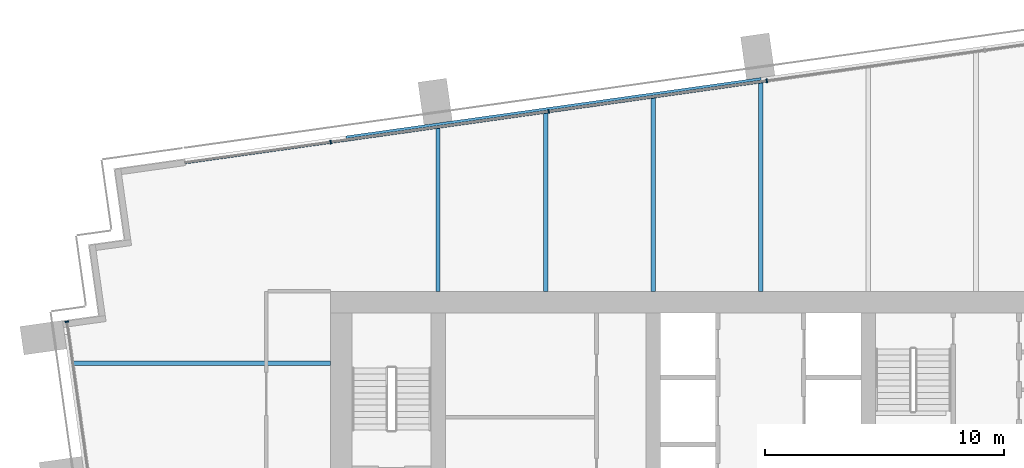
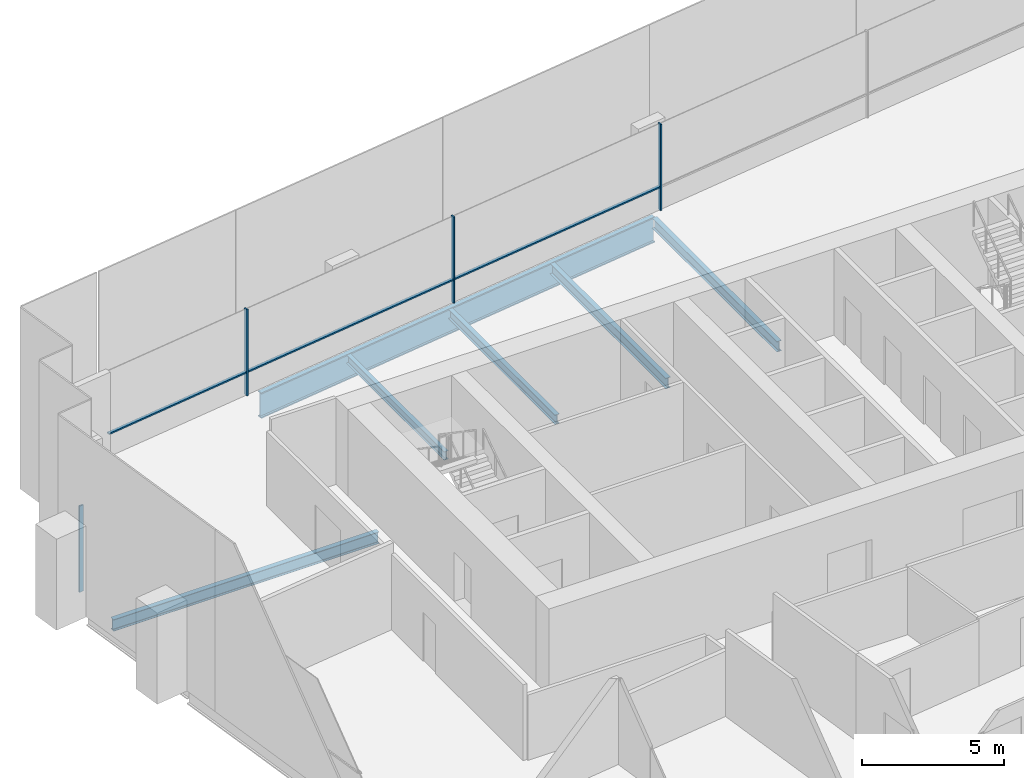
# One storey, part 6 of 17: 7 members, 6 beams, 2 elements without a shape of their own.
"""IFC4 building model written with IfcOpenShell, lengths in metres."""

from ifc_helpers import new_model, si_unit, direction, frame, origin, origin_2d, place, context, subcontext, project, spatial, rectangle, i_section, extrude, material, material_profile, profile_set, type_object, element, aggregate, save


model = new_model("IFC4")

# Units and contexts
model_context = context("Model", 3, precision=1e-05, world=origin(), true_north=direction((0.0, 1.0)))
body_context = subcontext(model_context, "Body", "Model", "MODEL_VIEW")
ifc_project = project(units=[si_unit("LENGTHUNIT", "METRE"), si_unit("AREAUNIT", "SQUARE_METRE"), si_unit("VOLUMEUNIT", "CUBIC_METRE"), si_unit("PLANEANGLEUNIT", "RADIAN"), si_unit("MASSUNIT", "GRAM", prefix="KILO")], contexts=[model_context])

# Site, building, storey
site_placement = place(None, origin())
site = spatial("IfcSite", under=ifc_project, at=site_placement, CompositionType="ELEMENT")
building_placement = place(site_placement, origin())
building = spatial("IfcBuilding", under=site, at=building_placement, Name="Rattan Terrace Tower", CompositionType="ELEMENT")
storey_placement = place(building_placement, frame((0.0, 0.0, 180.199951171875)))
storey = spatial("IfcBuildingStorey", under=building, at=storey_placement, Name="L41", CompositionType="ELEMENT", Elevation=180.199951171875)

# Curtain wall, members
ifc_material_1 = material(Name="Aluminium and glass", Category="aluminium")
curtain_wall_type = type_object("IfcCurtainWallType", Name="Facade Unitised Curtain Wall", PredefinedType="NOTDEFINED", material=ifc_material_1)
curtain_wall_1_placement = place(storey_placement, origin())
curtain_wall_1 = element("IfcCurtainWall", 1, at=curtain_wall_1_placement, inside=storey, type_object=curtain_wall_type, Name="Curtain wall L41-2", PredefinedType="NOTDEFINED")
ifc_material_2 = material(Name="Aluminium", Category="aluminium")
ifc_material_profile_1 = material_profile(ifc_material_2, rectangle(XDim=0.06005859375, YDim=0.159912109375, at=origin_2d()), Name="Aluminium 60x160")
ifc_profile_set_1 = profile_set([ifc_material_profile_1], Name="Aluminium")
member_type_1 = type_object("IfcMemberType", Name="Facade CW Mullion 60x160", PredefinedType="MULLION", material=ifc_profile_set_1)
member_1_placement = place(storey_placement, frame((0.25, 16.3125, 0.0), z_axis=(0.0, 0.0, 1.0), x_axis=(-0.990269702686, -0.139161474347, 0.0)))
member_1 = element("IfcMember", 2, at=member_1_placement, type_object=member_type_1, Name="Mullion cwl-L41-002.3", PredefinedType="MULLION", context=body_context, shape_type="SweptSolid", body=[
    extrude(rectangle(XDim=0.06005859375, YDim=0.159912109375, at=origin_2d()), origin(), (0.0, 0.0, 1.0), 3.699951171875),
])
member_2_placement = place(storey_placement, frame((-8.873291015625, 15.0302734375, 0.0), z_axis=(0.0, 0.0, 1.0), x_axis=(-0.990269702686, -0.139161474347, 0.0)))
member_2 = element("IfcMember", 3, at=member_2_placement, type_object=member_type_1, Name="Mullion cwl-L41-002.4", PredefinedType="MULLION", context=body_context, shape_type="SweptSolid", body=[
    extrude(rectangle(XDim=0.06005859375, YDim=0.159912109375, at=origin_2d()), origin(), (0.0, 0.0, 1.0), 3.699951171875),
])
member_3_placement = place(storey_placement, frame((-17.996826171875, 13.748291015625, 0.0), z_axis=(0.0, 0.0, 1.0), x_axis=(-0.990269702686, -0.139161474347, 0.0)))
member_3 = element("IfcMember", 4, at=member_3_placement, type_object=member_type_1, Name="Mullion cwl-L41-002.5", PredefinedType="MULLION", context=body_context, shape_type="SweptSolid", body=[
    extrude(rectangle(XDim=0.06005859375, YDim=0.159912109375, at=origin_2d()), origin(), (0.0, 0.0, 1.0), 3.699951171875),
])

# Curtain wall, member
curtain_wall_2_placement = place(storey_placement, origin())
curtain_wall_2 = element("IfcCurtainWall", 5, at=curtain_wall_2_placement, inside=storey, type_object=curtain_wall_type, Name="Curtain wall L41-3", PredefinedType="NOTDEFINED")
member_4_placement = place(storey_placement, frame((-29.037109375, 6.2333984375, 0.0), z_axis=(0.0, 0.0, 1.0), x_axis=(0.139190856006, -0.99026557327, 0.0)))
member_4 = element("IfcMember", 6, at=member_4_placement, type_object=member_type_1, Name="Mullion cwl-L41-003.1", PredefinedType="MULLION", context=body_context, shape_type="SweptSolid", body=[
    extrude(rectangle(XDim=0.06005859375, YDim=0.159912109375, at=origin_2d()), origin(), (0.0, 0.0, 1.0), 3.699951171875),
])
aggregate(curtain_wall_2, [member_4])

# Member
ifc_material_3 = material(Name="Aluminium", Category="aluminium")
ifc_material_profile_2 = material_profile(ifc_material_3, rectangle(XDim=0.1201171875, YDim=0.06005859375, at=origin_2d()), Name="Aluminium 120x60")
ifc_profile_set_2 = profile_set([ifc_material_profile_2], Name="Aluminium")
member_type_2 = type_object("IfcMemberType", Name="Facade CW Transom 120x60", PredefinedType="USERDEFINED", material=ifc_profile_set_2)
member_5_placement = place(storey_placement, frame((0.22021484375, 16.308349609375, 1.0), z_axis=(-0.990267035849, -0.139180450171, 0.0), x_axis=(0.139180450171, -0.990267035849, 0.0)))
member_5 = element("IfcMember", 7, at=member_5_placement, type_object=member_type_2, Name="Transom cwl-L41-002.3", ObjectType="TRANSOM", PredefinedType="USERDEFINED", context=body_context, shape_type="SweptSolid", body=[
    extrude(rectangle(XDim=0.1201171875, YDim=0.06005859375, at=origin_2d()), origin(), (0.0, 0.0, 1.0), 9.153076171875),
])

member_6_placement = place(storey_placement, frame((-8.903076171875, 15.026123046875, 1.0), z_axis=(-0.990270711765, -0.139154293575, 0.0), x_axis=(0.139154293575, -0.990270711765, 0.0)))
member_6 = element("IfcMember", 8, at=member_6_placement, type_object=member_type_2, Name="Transom cwl-L41-002.4", ObjectType="TRANSOM", PredefinedType="USERDEFINED", context=body_context, shape_type="SweptSolid", body=[
    extrude(rectangle(XDim=0.1201171875, YDim=0.06005859375, at=origin_2d()), origin(), (0.0, 0.0, 1.0), 9.153076171875),
])

member_7_placement = place(storey_placement, frame((-18.0263671875, 13.744140625, 1.0), z_axis=(-0.990267752185, -0.139175353357, 0.0), x_axis=(0.139175353357, -0.990267752185, 0.0)))
member_7 = element("IfcMember", 9, at=member_7_placement, type_object=member_type_2, Name="Transom cwl-L41-002.5", ObjectType="TRANSOM", PredefinedType="USERDEFINED", context=body_context, shape_type="SweptSolid", body=[
    extrude(rectangle(XDim=0.1201171875, YDim=0.06005859375, at=origin_2d()), origin(), (0.0, 0.0, 1.0), 6.11865234375),
])

aggregate(curtain_wall_1, [member_1, member_2, member_3, member_5, member_6, member_7])

# Beams
ifc_material_4 = material(Name="Steel S460", Category="steel")
ifc_material_profile_3 = material_profile(ifc_material_4, i_section(OverallWidth=0.179931640625, OverallDepth=1.10009765625, WebThickness=0.01611328125, FlangeThickness=0.050048828125, at=origin_2d()), Name="PG 1100x180-16-50")
ifc_profile_set_3 = profile_set([ifc_material_profile_3], Name="Steel S460")
beam_type_1 = type_object("IfcBeamType", Name="Frame edge girder PG 1100x180-16-50", PredefinedType="SPANDREL", material=ifc_profile_set_3)
beam_1_placement = place(storey_placement, frame((-17.347900390625, 13.9208984375, -0.75), z_axis=(0.990273554652, 0.139134061096, 0.0), x_axis=(-0.139134061096, 0.990273554652, 0.0)))
element("IfcBeam", 10, at=beam_1_placement, inside=storey, type_object=beam_type_1, Name="gdr-L41-006", PredefinedType="SPANDREL", context=body_context, shape_type="SweptSolid", body=[
    extrude(i_section(OverallWidth=0.179931640625, OverallDepth=1.10009765625, WebThickness=0.01611328125, FlangeThickness=0.050048828125, at=origin_2d()), origin(), (0.0, 0.0, 1.0), 17.53125),
])
ifc_material_5 = material(Name="Steel S355", Category="steel")
ifc_material_profile_4 = material_profile(ifc_material_5, i_section(OverallWidth=0.169921875, OverallDepth=0.360107421875, WebThickness=0.008056640625, FlangeThickness=0.0126953125, FilletRadius=0.01806640625, at=origin_2d()), Name="IPE 360")
ifc_profile_set_4 = profile_set([ifc_material_profile_4], Name="Steel S355")
beam_type_2 = type_object("IfcBeamType", Name="Frame floor beam IPE 360", PredefinedType="JOIST", material=ifc_profile_set_4)
beam_2_placement = place(storey_placement, frame((-13.5, 7.5, -0.3798828125), z_axis=(0.0, 1.0, 0.0), x_axis=(-1.0, 0.0, 0.0)))
element("IfcBeam", 11, at=beam_2_placement, inside=storey, type_object=beam_type_2, Name="bm-L41-016", PredefinedType="JOIST", context=body_context, shape_type="SweptSolid", body=[
    extrude(i_section(OverallWidth=0.169921875, OverallDepth=0.360107421875, WebThickness=0.008056640625, FlangeThickness=0.0126953125, FilletRadius=0.01806640625, at=origin_2d()), origin(), (0.0, 0.0, 1.0), 6.85888671875),
])
ifc_material_6 = material(Name="Steel S355", Category="steel")
ifc_material_profile_5 = material_profile(ifc_material_6, i_section(OverallWidth=0.179931640625, OverallDepth=0.39990234375, WebThickness=0.008544921875, FlangeThickness=0.013427734375, FilletRadius=0.02099609375, at=origin_2d()), Name="IPE 400")
ifc_profile_set_5 = profile_set([ifc_material_profile_5], Name="Steel S355")
beam_type_3 = type_object("IfcBeamType", Name="Frame floor beam IPE 400", PredefinedType="JOIST", material=ifc_profile_set_5)
beam_3_placement = place(storey_placement, frame((-9.0, 7.5, -0.39990234375), z_axis=(0.0, 1.0, 0.0), x_axis=(-1.0, 0.0, 0.0)))
element("IfcBeam", 12, at=beam_3_placement, inside=storey, type_object=beam_type_3, Name="bm-L41-017", PredefinedType="JOIST", context=body_context, shape_type="SweptSolid", body=[
    extrude(i_section(OverallWidth=0.179931640625, OverallDepth=0.39990234375, WebThickness=0.008544921875, FlangeThickness=0.013427734375, FilletRadius=0.02099609375, at=origin_2d()), origin(), (0.0, 0.0, 1.0), 7.489990234375),
])
ifc_material_7 = material(Name="Steel S355", Category="steel")
ifc_material_profile_6 = material_profile(ifc_material_7, i_section(OverallWidth=0.18994140625, OverallDepth=0.449951171875, WebThickness=0.009521484375, FlangeThickness=0.0146484375, FilletRadius=0.02099609375, at=origin_2d()), Name="IPE 450")
ifc_profile_set_6 = profile_set([ifc_material_profile_6], Name="Steel S355")
beam_type_4 = type_object("IfcBeamType", Name="Frame floor beam IPE 450", PredefinedType="JOIST", material=ifc_profile_set_6)
beam_4_placement = place(storey_placement, frame((-4.5, 7.5, -0.425048828125), z_axis=(0.0, 1.0, 0.0), x_axis=(-1.0, 0.0, 0.0)))
element("IfcBeam", 13, at=beam_4_placement, inside=storey, type_object=beam_type_4, Name="bm-L41-018", PredefinedType="JOIST", context=body_context, shape_type="SweptSolid", body=[
    extrude(i_section(OverallWidth=0.18994140625, OverallDepth=0.449951171875, WebThickness=0.009521484375, FlangeThickness=0.0146484375, FilletRadius=0.02099609375, at=origin_2d()), origin(), (0.0, 0.0, 1.0), 8.1220703125),
])
beam_5_placement = place(storey_placement, frame((0.0, 7.5, -0.425048828125), z_axis=(0.0, 1.0, 0.0), x_axis=(-1.0, 0.0, 0.0)))
element("IfcBeam", 14, at=beam_5_placement, inside=storey, type_object=beam_type_4, Name="bm-L41-019", PredefinedType="JOIST", context=body_context, shape_type="SweptSolid", body=[
    extrude(i_section(OverallWidth=0.18994140625, OverallDepth=0.449951171875, WebThickness=0.009521484375, FlangeThickness=0.0146484375, FilletRadius=0.02099609375, at=origin_2d()), origin(), (0.0, 0.0, 1.0), 8.75390625),
])
ifc_material_8 = material(Name="Steel S355", Category="steel")
ifc_material_profile_7 = material_profile(ifc_material_8, i_section(OverallWidth=0.199951171875, OverallDepth=0.5, WebThickness=0.01025390625, FlangeThickness=0.01611328125, FilletRadius=0.02099609375, at=origin_2d()), Name="IPE 500")
ifc_profile_set_7 = profile_set([ifc_material_profile_7], Name="Steel S355")
beam_type_5 = type_object("IfcBeamType", Name="Frame floor beam IPE 500", PredefinedType="JOIST", material=ifc_profile_set_7)
beam_6_placement = place(storey_placement, frame((-28.77001953125, 4.5, -0.449951171875), z_axis=(1.0, 0.0, 0.0), x_axis=(0.0, 1.0, 0.0)))
element("IfcBeam", 15, at=beam_6_placement, inside=storey, type_object=beam_type_5, Name="bm-L41-014", PredefinedType="JOIST", context=body_context, shape_type="SweptSolid", body=[
    extrude(i_section(OverallWidth=0.199951171875, OverallDepth=0.5, WebThickness=0.01025390625, FlangeThickness=0.01611328125, FilletRadius=0.02099609375, at=origin_2d()), origin(), (0.0, 0.0, 1.0), 10.77001953125),
])

save(model, "model.ifc")
